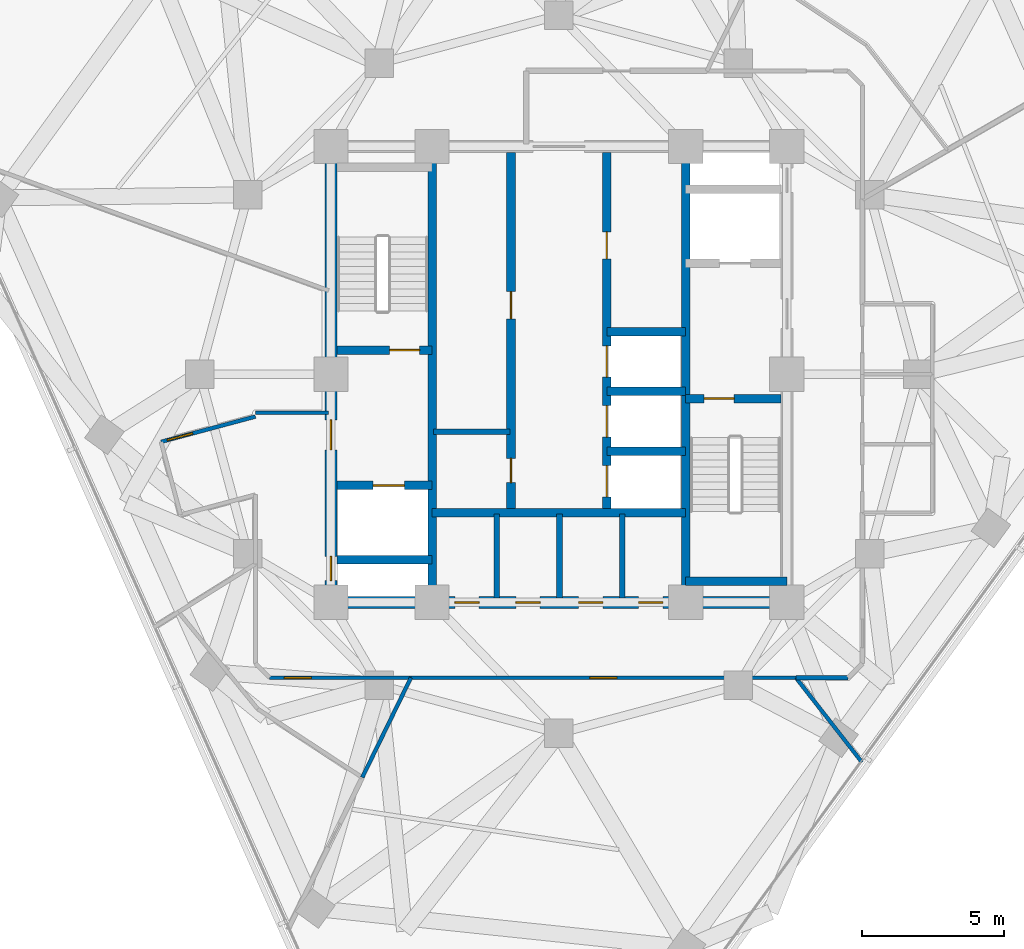
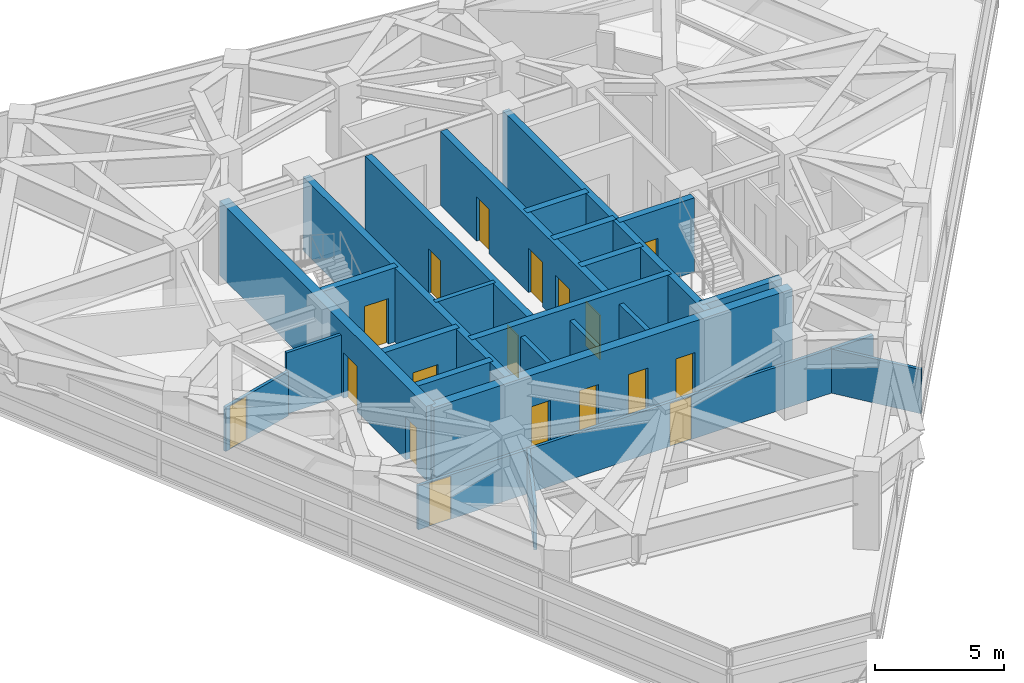
# One storey, part 8 of 14: 26 walls, 18 doors, 18 openings.
"""IFC4 building model written with IfcOpenShell, lengths in metres."""

from ifc_helpers import new_model, si_unit, direction, frame, frame_2d, origin, place, context, subcontext, project, spatial, rectangle, extrude, material, layer, layer_set, type_object, element, fill, save


model = new_model("IFC4")

# Units and contexts
model_context = context("Model", 3, precision=1e-05, world=origin(), true_north=direction((0.0, 1.0)))
body_context = subcontext(model_context, "Body", "Model", "MODEL_VIEW")
ifc_project = project(units=[si_unit("LENGTHUNIT", "METRE"), si_unit("AREAUNIT", "SQUARE_METRE"), si_unit("VOLUMEUNIT", "CUBIC_METRE"), si_unit("PLANEANGLEUNIT", "RADIAN"), si_unit("MASSUNIT", "GRAM", prefix="KILO")], contexts=[model_context])

# Site, building, storey
site_placement = place(None, origin())
site = spatial("IfcSite", under=ifc_project, at=site_placement, CompositionType="ELEMENT")
building_placement = place(site_placement, origin())
building = spatial("IfcBuilding", under=site, at=building_placement, Name="Terralouvre Media Tower", CompositionType="ELEMENT")
storey_placement = place(building_placement, frame((0.0, 0.0, 244.800048828125)))
storey = spatial("IfcBuildingStorey", under=building, at=storey_placement, Name="L63", CompositionType="ELEMENT", Elevation=244.800048828125)

# Walls
ifc_material_1 = material(Name="Concrete C50/60", Category="concrete")
ifc_layer_1 = layer(ifc_material_1, 0.300048828125, Name="Core Internal Shaft Wall CW-300")
ifc_layer_set_1 = layer_set([ifc_layer_1], Name="Concrete C50/60")
wall_type_1 = type_object("IfcWallType", Name="Core Internal Shaft Wall CW-300", PredefinedType="SHEAR", material=ifc_layer_set_1)
for number, where, z_axis, x_axis, name in (
    (1, (-4.449951171875, -7.7900390625, 0.0), (0.0, 0.0, 1.0), (0.0, 1.0, 0.0), "L63 Core Shaft Wall SPW"),
    (2, (4.449951171875, -7.7900390625, 0.0), (0.0, 0.0, 1.0), (0.0, 1.0, 0.0), "L63 Core Shaft Wall SPE"),
):
    element("IfcWall", number, at=place(storey_placement, frame(where, z_axis=z_axis, x_axis=x_axis)), inside=storey, type_object=wall_type_1, Name=name, PredefinedType="SHEAR", context=body_context, shape_type="SweptSolid", body=[
        extrude(rectangle(XDim=15.580078125, YDim=0.300048828125, at=frame_2d((7.7900390625, 0.0))), origin(), (0.0, 0.0, 1.0), 3.5),
    ])

# Wall, opening, door
wall_1_placement = place(storey_placement, frame((-7.7900390625, 0.85009765625, 0.0), z_axis=(0.0, 0.0, 1.0), x_axis=(1.0, 0.0, 0.0)))
wall_1 = element("IfcWall", 3, at=wall_1_placement, inside=storey, type_object=wall_type_1, Name="L63 Core Shaft Wall ST1D", PredefinedType="SHEAR", context=body_context, shape_type="SweptSolid", body=[
    extrude(rectangle(XDim=3.340087890625, YDim=0.300048828125, at=frame_2d((1.669921875, 0.0))), origin(), (0.0, 0.0, 1.0), 3.5),
])
opening_1_placement = place(wall_1_placement, frame((1.85009765625, 0.0, 0.0)))
opening_1 = element("IfcOpeningElement", 4, at=opening_1_placement, cuts=wall_1, Name="Opening FD-01-105X215", PredefinedType="OPENING", context=body_context, shape_type="SweptSolid", body=[
    extrude(rectangle(XDim=1.050048828125, YDim=2.14990234375, at=frame_2d((0.52490234375, 1.074951171875))), frame((0.0, 0.159912109375, 0.0), z_axis=(0.0, -1.0, 0.0), x_axis=(1.0, 0.0, 0.0)), (0.0, 0.0, 1.0), 0.320068359375),
])
ifc_material_2 = material(Name="Galvanised steel fire-resisting leaf", Category="steel")
door_type_1 = type_object("IfcDoorType", Name="Stair and Firefighting Lobby Fire Door FD-01 (1050x2150)", OperationType="NOTDEFINED", PredefinedType="DOOR", material=ifc_material_2)
door_1_placement = place(opening_1_placement, origin())
door_1 = element("IfcDoor", 5, at=door_1_placement, inside=storey, type_object=door_type_1, Name="L63 ST-01 Exit Stair Door", OperationType="SINGLE_SWING_LEFT", OverallHeight=2.14990234375, OverallWidth=1.050048828125, PredefinedType="DOOR", context=body_context, shape_type="SweptSolid", body=[
    extrude(rectangle(XDim=1.050048828125, YDim=2.14990234375, at=frame_2d((0.52490234375, 1.074951171875))), frame((0.0, 0.02490234375, 0.0), z_axis=(0.0, -1.0, 0.0), x_axis=(1.0, 0.0, 0.0)), (0.0, 0.0, 1.0), 0.050048828125),
])
fill(opening_1, door_1)

wall_2_placement = place(storey_placement, frame((4.449951171875, -0.85009765625, 0.0), z_axis=(0.0, 0.0, 1.0), x_axis=(1.0, 0.0, 0.0)))
wall_2 = element("IfcWall", 6, at=wall_2_placement, inside=storey, type_object=wall_type_1, Name="L63 Core Shaft Wall ST2D", PredefinedType="SHEAR", context=body_context, shape_type="SweptSolid", body=[
    extrude(rectangle(XDim=3.340087890625, YDim=0.300048828125, at=frame_2d((1.669921875, 0.0))), origin(), (0.0, 0.0, 1.0), 3.5),
])
opening_2_placement = place(wall_2_placement, frame((0.64990234375, 0.0, 0.0)))
opening_2 = element("IfcOpeningElement", 7, at=opening_2_placement, cuts=wall_2, Name="Opening FD-01-105X215", PredefinedType="OPENING", context=body_context, shape_type="SweptSolid", body=[
    extrude(rectangle(XDim=1.050048828125, YDim=2.14990234375, at=frame_2d((0.52490234375, 1.074951171875))), frame((0.0, 0.159912109375, 0.0), z_axis=(0.0, -1.0, 0.0), x_axis=(1.0, 0.0, 0.0)), (0.0, 0.0, 1.0), 0.320068359375),
])
door_2_placement = place(opening_2_placement, origin())
door_2 = element("IfcDoor", 8, at=door_2_placement, inside=storey, type_object=door_type_1, Name="L63 ST-02 Exit Stair Door", OperationType="SINGLE_SWING_RIGHT", OverallHeight=2.14990234375, OverallWidth=1.050048828125, PredefinedType="DOOR", context=body_context, shape_type="SweptSolid", body=[
    extrude(rectangle(XDim=1.050048828125, YDim=2.14990234375, at=frame_2d((0.52490234375, 1.074951171875))), frame((0.0, 0.02490234375, 0.0), z_axis=(0.0, -1.0, 0.0), x_axis=(1.0, 0.0, 0.0)), (0.0, 0.0, 1.0), 0.050048828125),
])
fill(opening_2, door_2)

# Wall
wall_3_placement = place(storey_placement, frame((4.449951171875, -7.260009765625, 0.0), z_axis=(0.0, 0.0, 1.0), x_axis=(1.0, 0.0, 0.0)))
element("IfcWall", 9, at=wall_3_placement, inside=storey, type_object=wall_type_1, Name="L63 Core Shaft Wall ST2F", PredefinedType="SHEAR", context=body_context, shape_type="SweptSolid", body=[
    extrude(rectangle(XDim=3.550048828125, YDim=0.300048828125, at=frame_2d((1.77490234375, 0.0))), origin(), (0.0, 0.0, 1.0), 3.5),
])

# Wall, opening, door
wall_4_placement = place(storey_placement, frame((-7.7900390625, -3.89990234375, 0.0), z_axis=(0.0, 0.0, 1.0), x_axis=(1.0, 0.0, 0.0)))
wall_4 = element("IfcWall", 10, at=wall_4_placement, inside=storey, type_object=wall_type_1, Name="L63 Core Shaft Wall FF1N", PredefinedType="SHEAR", context=body_context, shape_type="SweptSolid", body=[
    extrude(rectangle(XDim=3.340087890625, YDim=0.300048828125, at=frame_2d((1.669921875, 0.0))), origin(), (0.0, 0.0, 1.0), 3.5),
])
opening_3_placement = place(wall_4_placement, frame((1.27001953125, 0.0, 0.0)))
opening_3 = element("IfcOpeningElement", 11, at=opening_3_placement, cuts=wall_4, Name="Opening LD-FF", PredefinedType="OPENING", context=body_context, shape_type="SweptSolid", body=[
    extrude(rectangle(XDim=1.10009765625, YDim=2.10009765625, at=frame_2d((0.550048828125, 1.050048828125))), frame((0.0, 0.159912109375, 0.0), z_axis=(0.0, -1.0, 0.0), x_axis=(1.0, 0.0, 0.0)), (0.0, 0.0, 1.0), 0.320068359375),
])
ifc_material_3 = material(Name="Stainless steel 316 handrail and balustrade", Category="steel")
door_type_2 = type_object("IfcDoorType", Name="Firefighting Lift Sliding Landing Door LD-FF", OperationType="SLIDING_TO_LEFT", PredefinedType="DOOR", material=ifc_material_3)
door_3_placement = place(opening_3_placement, origin())
door_3 = element("IfcDoor", 12, at=door_3_placement, inside=storey, type_object=door_type_2, Name="L63 Firefighting Lift FFL-01 Landing Door", OperationType="SLIDING_TO_LEFT", OverallHeight=2.10009765625, OverallWidth=1.10009765625, PredefinedType="DOOR", context=body_context, shape_type="SweptSolid", body=[
    extrude(rectangle(XDim=1.10009765625, YDim=2.10009765625, at=frame_2d((0.550048828125, 1.050048828125))), frame((0.0, 0.02490234375, 0.0), z_axis=(0.0, -1.0, 0.0), x_axis=(1.0, 0.0, 0.0)), (0.0, 0.0, 1.0), 0.050048828125),
])
fill(opening_3, door_3)

# Walls
wall_5_placement = place(storey_placement, frame((-7.7900390625, -6.5, 0.0), z_axis=(0.0, 0.0, 1.0), x_axis=(1.0, 0.0, 0.0)))
element("IfcWall", 13, at=wall_5_placement, inside=storey, type_object=wall_type_1, Name="L63 Core Shaft Wall FF1S", PredefinedType="SHEAR", context=body_context, shape_type="SweptSolid", body=[
    extrude(rectangle(XDim=3.340087890625, YDim=0.300048828125, at=frame_2d((1.669921875, 0.0))), origin(), (0.0, 0.0, 1.0), 3.5),
])
wall_6_placement = place(storey_placement, frame((-4.449951171875, -4.85009765625, 0.0), z_axis=(0.0, 0.0, 1.0), x_axis=(1.0, 0.0, 0.0)))
element("IfcWall", 14, at=wall_6_placement, inside=storey, type_object=wall_type_1, Name="L63 Core Shaft Wall CSBN", PredefinedType="SHEAR", context=body_context, shape_type="SweptSolid", body=[
    extrude(rectangle(XDim=8.89990234375, YDim=0.300048828125, at=frame_2d((4.449951171875, 0.0))), origin(), (0.0, 0.0, 1.0), 3.5),
])

# Wall, openings, doors
wall_7_placement = place(storey_placement, frame((-1.679931640625, -4.85009765625, 0.0), z_axis=(0.0, 0.0, 1.0), x_axis=(0.0, 1.0, 0.0)))
wall_7 = element("IfcWall", 15, at=wall_7_placement, inside=storey, type_object=wall_type_1, Name="L63 Core Shaft Wall LBW", PredefinedType="SHEAR", context=body_context, shape_type="SweptSolid", body=[
    extrude(rectangle(XDim=12.64013671875, YDim=0.300048828125, at=frame_2d((6.320068359375, 0.0))), origin(), (0.0, 0.0, 1.0), 3.5),
])
opening_4_placement = place(wall_7_placement, frame((1.050048828125, 0.0, 0.0)))
opening_4 = element("IfcOpeningElement", 16, at=opening_4_placement, cuts=wall_7, Name="Opening TD-R1", PredefinedType="OPENING", context=body_context, shape_type="SweptSolid", body=[
    extrude(rectangle(XDim=0.85009765625, YDim=2.02001953125, at=frame_2d((0.425048828125, 1.010009765625))), frame((0.0, 0.159912109375, 0.0), z_axis=(0.0, -1.0, 0.0), x_axis=(1.0, 0.0, 0.0)), (0.0, 0.0, 1.0), 0.320068359375),
])
opening_5_placement = place(wall_7_placement, frame((6.800048828125, 0.0, 0.0)))
opening_5 = element("IfcOpeningElement", 17, at=opening_5_placement, cuts=wall_7, Name="Opening FD-02-95X210", PredefinedType="OPENING", context=body_context, shape_type="SweptSolid", body=[
    extrude(rectangle(XDim=0.949951171875, YDim=2.10009765625, at=frame_2d((0.47509765625, 1.050048828125))), frame((0.0, 0.159912109375, 0.0), z_axis=(0.0, -1.0, 0.0), x_axis=(1.0, 0.0, 0.0)), (0.0, 0.0, 1.0), 0.320068359375),
])
ifc_material_4 = material(Name="Galvanised steel fire-resisting leaf", Category="steel")
door_type_3 = type_object("IfcDoorType", Name="Plant and Riser Fire Door FD-02 (950x2100)", OperationType="NOTDEFINED", PredefinedType="DOOR", material=ifc_material_4)
door_4_placement = place(opening_5_placement, origin())
door_4 = element("IfcDoor", 18, at=door_4_placement, inside=storey, type_object=door_type_3, Name="L63 Core Patch Rack Plant Door", OperationType="SINGLE_SWING_RIGHT", OverallHeight=2.10009765625, OverallWidth=0.949951171875, PredefinedType="DOOR", context=body_context, shape_type="SweptSolid", body=[
    extrude(rectangle(XDim=0.949951171875, YDim=2.10009765625, at=frame_2d((0.47509765625, 1.050048828125))), frame((0.0, 0.02490234375, 0.0), z_axis=(0.0, -1.0, 0.0), x_axis=(1.0, 0.0, 0.0)), (0.0, 0.0, 1.0), 0.050048828125),
])
fill(opening_5, door_4)
ifc_material_5 = material(Name="Galvanised steel fire-resisting leaf", Category="steel")
door_type_4 = type_object("IfcDoorType", Name="Riser Inspection Access Trapdoor TD-R1", OperationType="NOTDEFINED", PredefinedType="TRAPDOOR", material=ifc_material_5)
door_5_placement = place(opening_4_placement, origin())
door_5 = element("IfcDoor", 19, at=door_5_placement, inside=storey, type_object=door_type_4, Name="L63 Core Cleaners Store Door", OperationType="SINGLE_SWING_LEFT", OverallHeight=2.02001953125, OverallWidth=0.85009765625, PredefinedType="TRAPDOOR", context=body_context, shape_type="SweptSolid", body=[
    extrude(rectangle(XDim=0.85009765625, YDim=2.02001953125, at=frame_2d((0.425048828125, 1.010009765625))), frame((0.0, 0.02490234375, 0.0), z_axis=(0.0, -1.0, 0.0), x_axis=(1.0, 0.0, 0.0)), (0.0, 0.0, 1.0), 0.050048828125),
])
fill(opening_4, door_5)

wall_8_placement = place(storey_placement, frame((1.679931640625, -4.85009765625, 0.0), z_axis=(0.0, 0.0, 1.0), x_axis=(0.0, 1.0, 0.0)))
wall_8 = element("IfcWall", 20, at=wall_8_placement, inside=storey, type_object=wall_type_1, Name="L63 Core Shaft Wall LBE", PredefinedType="SHEAR", context=body_context, shape_type="SweptSolid", body=[
    extrude(rectangle(XDim=12.64013671875, YDim=0.300048828125, at=frame_2d((6.320068359375, 0.0))), origin(), (0.0, 0.0, 1.0), 3.5),
])
opening_6_placement = place(wall_8_placement, frame((0.550048828125, 0.0, 0.0)))
opening_6 = element("IfcOpeningElement", 21, at=opening_6_placement, cuts=wall_8, Name="Opening LD-PL", PredefinedType="OPENING", context=body_context, shape_type="SweptSolid", body=[
    extrude(rectangle(XDim=1.10009765625, YDim=2.10009765625, at=frame_2d((0.550048828125, 1.050048828125))), frame((0.0, 0.159912109375, 0.0), z_axis=(0.0, -1.0, 0.0), x_axis=(1.0, 0.0, 0.0)), (0.0, 0.0, 1.0), 0.320068359375),
])
opening_7_placement = place(wall_8_placement, frame((2.64990234375, 0.0, 0.0)))
opening_7 = element("IfcOpeningElement", 22, at=opening_7_placement, cuts=wall_8, Name="Opening LD-PL", PredefinedType="OPENING", context=body_context, shape_type="SweptSolid", body=[
    extrude(rectangle(XDim=1.10009765625, YDim=2.10009765625, at=frame_2d((0.550048828125, 1.050048828125))), frame((0.0, 0.159912109375, 0.0), z_axis=(0.0, -1.0, 0.0), x_axis=(1.0, 0.0, 0.0)), (0.0, 0.0, 1.0), 0.320068359375),
])
opening_8_placement = place(wall_8_placement, frame((4.75, 0.0, 0.0)))
opening_8 = element("IfcOpeningElement", 23, at=opening_8_placement, cuts=wall_8, Name="Opening LD-PL", PredefinedType="OPENING", context=body_context, shape_type="SweptSolid", body=[
    extrude(rectangle(XDim=1.10009765625, YDim=2.10009765625, at=frame_2d((0.550048828125, 1.050048828125))), frame((0.0, 0.159912109375, 0.0), z_axis=(0.0, -1.0, 0.0), x_axis=(1.0, 0.0, 0.0)), (0.0, 0.0, 1.0), 0.320068359375),
])
opening_9_placement = place(wall_8_placement, frame((8.89990234375, 0.0, 0.0)))
opening_9 = element("IfcOpeningElement", 24, at=opening_9_placement, cuts=wall_8, Name="Opening FD-02-95X210", PredefinedType="OPENING", context=body_context, shape_type="SweptSolid", body=[
    extrude(rectangle(XDim=0.949951171875, YDim=2.10009765625, at=frame_2d((0.47509765625, 1.050048828125))), frame((0.0, 0.159912109375, 0.0), z_axis=(0.0, -1.0, 0.0), x_axis=(1.0, 0.0, 0.0)), (0.0, 0.0, 1.0), 0.320068359375),
])
ifc_material_6 = material(Name="Stainless steel 316 handrail and balustrade", Category="steel")
door_type_5 = type_object("IfcDoorType", Name="Passenger Lift Sliding Landing Door LD-PL", OperationType="SLIDING_TO_LEFT", PredefinedType="DOOR", material=ifc_material_6)
door_6_placement = place(opening_6_placement, origin())
door_6 = element("IfcDoor", 25, at=door_6_placement, inside=storey, type_object=door_type_5, Name="L63 High-Rise Lift PL-H1 Landing Door", OperationType="SLIDING_TO_LEFT", OverallHeight=2.10009765625, OverallWidth=1.10009765625, PredefinedType="DOOR", context=body_context, shape_type="SweptSolid", body=[
    extrude(rectangle(XDim=1.10009765625, YDim=2.10009765625, at=frame_2d((0.550048828125, 1.050048828125))), frame((0.0, 0.02490234375, 0.0), z_axis=(0.0, -1.0, 0.0), x_axis=(1.0, 0.0, 0.0)), (0.0, 0.0, 1.0), 0.050048828125),
])
fill(opening_6, door_6)
door_7_placement = place(opening_7_placement, origin())
door_7 = element("IfcDoor", 26, at=door_7_placement, inside=storey, type_object=door_type_5, Name="L63 High-Rise Lift PL-H2 Landing Door", OperationType="SLIDING_TO_LEFT", OverallHeight=2.10009765625, OverallWidth=1.10009765625, PredefinedType="DOOR", context=body_context, shape_type="SweptSolid", body=[
    extrude(rectangle(XDim=1.10009765625, YDim=2.10009765625, at=frame_2d((0.550048828125, 1.050048828125))), frame((0.0, 0.02490234375, 0.0), z_axis=(0.0, -1.0, 0.0), x_axis=(1.0, 0.0, 0.0)), (0.0, 0.0, 1.0), 0.050048828125),
])
fill(opening_7, door_7)
door_8_placement = place(opening_8_placement, origin())
door_8 = element("IfcDoor", 27, at=door_8_placement, inside=storey, type_object=door_type_5, Name="L63 High-Rise Lift PL-H3 Landing Door", OperationType="SLIDING_TO_LEFT", OverallHeight=2.10009765625, OverallWidth=1.10009765625, PredefinedType="DOOR", context=body_context, shape_type="SweptSolid", body=[
    extrude(rectangle(XDim=1.10009765625, YDim=2.10009765625, at=frame_2d((0.550048828125, 1.050048828125))), frame((0.0, 0.02490234375, 0.0), z_axis=(0.0, -1.0, 0.0), x_axis=(1.0, 0.0, 0.0)), (0.0, 0.0, 1.0), 0.050048828125),
])
fill(opening_8, door_8)
door_9_placement = place(opening_9_placement, origin())
door_9 = element("IfcDoor", 28, at=door_9_placement, inside=storey, type_object=door_type_3, Name="L63 Core AHU Sub-Plant Door", OperationType="SINGLE_SWING_LEFT", OverallHeight=2.10009765625, OverallWidth=0.949951171875, PredefinedType="DOOR", context=body_context, shape_type="SweptSolid", body=[
    extrude(rectangle(XDim=0.949951171875, YDim=2.10009765625, at=frame_2d((0.47509765625, 1.050048828125))), frame((0.0, 0.02490234375, 0.0), z_axis=(0.0, -1.0, 0.0), x_axis=(1.0, 0.0, 0.0)), (0.0, 0.0, 1.0), 0.050048828125),
])
fill(opening_9, door_9)

# Walls
for number, where, z_axis, x_axis, name in (
    (29, (1.679931640625, 1.5, 0.0), (0.0, 0.0, 1.0), (1.0, 0.0, 0.0), "L63 Core Shaft Wall PLMBOT"),
    (30, (1.679931640625, -2.699951171875, 0.0), (0.0, 0.0, 1.0), (1.0, 0.0, 0.0), "L63 Core Shaft Wall PLHD1"),
    (31, (1.679931640625, -0.60009765625, 0.0), (0.0, 0.0, 1.0), (1.0, 0.0, 0.0), "L63 Core Shaft Wall PLHD2"),
):
    element("IfcWall", number, at=place(storey_placement, frame(where, z_axis=z_axis, x_axis=x_axis)), inside=storey, type_object=wall_type_1, Name=name, PredefinedType="SHEAR", context=body_context, shape_type="SweptSolid", body=[
        extrude(rectangle(XDim=2.77001953125, YDim=0.300048828125, at=frame_2d((1.385009765625, 0.0))), origin(), (0.0, 0.0, 1.0), 3.5),
    ])

# Wall, openings, doors
ifc_material_7 = material(Name="Concrete C60/75", Category="concrete")
ifc_layer_2 = layer(ifc_material_7, 0.419921875, Name="Core Reinforced Concrete Shear Wall CW-420")
ifc_layer_set_2 = layer_set([ifc_layer_2], Name="Concrete C60/75")
wall_type_2 = type_object("IfcWallType", Name="Core Reinforced Concrete Shear Wall CW-420", PredefinedType="SHEAR", material=ifc_layer_set_2)
wall_9_placement = place(storey_placement, frame((-8.0, -8.0, 0.0), z_axis=(0.0, 0.0, 1.0), x_axis=(0.0, 1.0, 0.0)))
wall_9 = element("IfcWall", 32, at=wall_9_placement, inside=storey, type_object=wall_type_2, Name="L63 W Core Shear Wall", PredefinedType="SHEAR", context=body_context, shape_type="SweptSolid", body=[
    extrude(rectangle(XDim=16.0, YDim=0.419921875, at=frame_2d((8.0, 0.0))), origin(), (0.0, 0.0, 1.0), 3.5),
])
opening_10_placement = place(wall_9_placement, frame((0.76123046875, 0.0, 0.0)))
opening_10 = element("IfcOpeningElement", 33, at=opening_10_placement, cuts=wall_9, Name="Opening TD-R1", PredefinedType="OPENING", context=body_context, shape_type="SweptSolid", body=[
    extrude(rectangle(XDim=0.85009765625, YDim=2.02001953125, at=frame_2d((0.425048828125, 1.010009765625))), frame((0.0, 0.219970703125, 0.0), z_axis=(0.0, -1.0, 0.0), x_axis=(1.0, 0.0, 0.0)), (0.0, 0.0, 1.0), 0.43994140625),
])
opening_11_placement = place(wall_9_placement, frame((5.35009765625, 0.0, 0.0)))
opening_11 = element("IfcOpeningElement", 34, at=opening_11_placement, cuts=wall_9, Name="Opening FD-01-105X215", PredefinedType="OPENING", context=body_context, shape_type="SweptSolid", body=[
    extrude(rectangle(XDim=1.050048828125, YDim=2.14990234375, at=frame_2d((0.52490234375, 1.074951171875))), frame((0.0, 0.219970703125, 0.0), z_axis=(0.0, -1.0, 0.0), x_axis=(1.0, 0.0, 0.0)), (0.0, 0.0, 1.0), 0.43994140625),
])
door_10_placement = place(opening_10_placement, origin())
door_10 = element("IfcDoor", 35, at=door_10_placement, inside=storey, type_object=door_type_4, Name="L63 Wet Riser Access Trapdoor", OperationType="SINGLE_SWING_LEFT", OverallHeight=2.02001953125, OverallWidth=0.85009765625, PredefinedType="TRAPDOOR", context=body_context, shape_type="SweptSolid", body=[
    extrude(rectangle(XDim=0.85009765625, YDim=2.02001953125, at=frame_2d((0.425048828125, 1.010009765625))), frame((0.0, 0.02490234375, 0.0), z_axis=(0.0, -1.0, 0.0), x_axis=(1.0, 0.0, 0.0)), (0.0, 0.0, 1.0), 0.050048828125),
])
fill(opening_10, door_10)
door_11_placement = place(opening_11_placement, origin())
door_11 = element("IfcDoor", 36, at=door_11_placement, inside=storey, type_object=door_type_1, Name="L63 West Firefighting Lobby Entry Door", OperationType="SINGLE_SWING_RIGHT", OverallHeight=2.14990234375, OverallWidth=1.050048828125, PredefinedType="DOOR", context=body_context, shape_type="SweptSolid", body=[
    extrude(rectangle(XDim=1.050048828125, YDim=2.14990234375, at=frame_2d((0.52490234375, 1.074951171875))), frame((0.0, 0.02490234375, 0.0), z_axis=(0.0, -1.0, 0.0), x_axis=(1.0, 0.0, 0.0)), (0.0, 0.0, 1.0), 0.050048828125),
])
fill(opening_11, door_11)

wall_10_placement = place(storey_placement, frame((-8.0, -8.0, 0.0), z_axis=(0.0, 0.0, 1.0), x_axis=(1.0, 0.0, 0.0)))
wall_10 = element("IfcWall", 37, at=wall_10_placement, inside=storey, type_object=wall_type_2, Name="L63 S Core Shear Wall", PredefinedType="SHEAR", context=body_context, shape_type="SweptSolid", body=[
    extrude(rectangle(XDim=16.0, YDim=0.419921875, at=frame_2d((8.0, 0.0))), origin(), (0.0, 0.0, 1.0), 3.5),
])
opening_12_placement = place(wall_10_placement, frame((4.35009765625, 0.0, 0.0)))
opening_12 = element("IfcOpeningElement", 38, at=opening_12_placement, cuts=wall_10, Name="Opening TD-R1", PredefinedType="OPENING", context=body_context, shape_type="SweptSolid", body=[
    extrude(rectangle(XDim=0.85009765625, YDim=2.02001953125, at=frame_2d((0.425048828125, 1.010009765625))), frame((0.0, 0.219970703125, 0.0), z_axis=(0.0, -1.0, 0.0), x_axis=(1.0, 0.0, 0.0)), (0.0, 0.0, 1.0), 0.43994140625),
])
opening_13_placement = place(wall_10_placement, frame((6.489990234375, 0.0, 0.0)))
opening_13 = element("IfcOpeningElement", 39, at=opening_13_placement, cuts=wall_10, Name="Opening TD-R1", PredefinedType="OPENING", context=body_context, shape_type="SweptSolid", body=[
    extrude(rectangle(XDim=0.85009765625, YDim=2.02001953125, at=frame_2d((0.425048828125, 1.010009765625))), frame((0.0, 0.219970703125, 0.0), z_axis=(0.0, -1.0, 0.0), x_axis=(1.0, 0.0, 0.0)), (0.0, 0.0, 1.0), 0.43994140625),
])
opening_14_placement = place(wall_10_placement, frame((8.68994140625, 0.0, 0.0)))
opening_14 = element("IfcOpeningElement", 40, at=opening_14_placement, cuts=wall_10, Name="Opening TD-R1", PredefinedType="OPENING", context=body_context, shape_type="SweptSolid", body=[
    extrude(rectangle(XDim=0.85009765625, YDim=2.02001953125, at=frame_2d((0.425048828125, 1.010009765625))), frame((0.0, 0.219970703125, 0.0), z_axis=(0.0, -1.0, 0.0), x_axis=(1.0, 0.0, 0.0)), (0.0, 0.0, 1.0), 0.43994140625),
])
opening_15_placement = place(wall_10_placement, frame((10.800048828125, 0.0, 0.0)))
opening_15 = element("IfcOpeningElement", 41, at=opening_15_placement, cuts=wall_10, Name="Opening TD-R1", PredefinedType="OPENING", context=body_context, shape_type="SweptSolid", body=[
    extrude(rectangle(XDim=0.85009765625, YDim=2.02001953125, at=frame_2d((0.425048828125, 1.010009765625))), frame((0.0, 0.219970703125, 0.0), z_axis=(0.0, -1.0, 0.0), x_axis=(1.0, 0.0, 0.0)), (0.0, 0.0, 1.0), 0.43994140625),
])
door_12_placement = place(opening_12_placement, origin())
door_12 = element("IfcDoor", 42, at=door_12_placement, inside=storey, type_object=door_type_4, Name="L63 Core Battery Plant Door", OperationType="SINGLE_SWING_LEFT", OverallHeight=2.02001953125, OverallWidth=0.85009765625, PredefinedType="TRAPDOOR", context=body_context, shape_type="SweptSolid", body=[
    extrude(rectangle(XDim=0.85009765625, YDim=2.02001953125, at=frame_2d((0.425048828125, 1.010009765625))), frame((0.0, 0.02490234375, 0.0), z_axis=(0.0, -1.0, 0.0), x_axis=(1.0, 0.0, 0.0)), (0.0, 0.0, 1.0), 0.050048828125),
])
fill(opening_12, door_12)
door_13_placement = place(opening_13_placement, origin())
door_13 = element("IfcDoor", 43, at=door_13_placement, inside=storey, type_object=door_type_4, Name="L63 Core IT Patch Plant Door", OperationType="SINGLE_SWING_RIGHT", OverallHeight=2.02001953125, OverallWidth=0.85009765625, PredefinedType="TRAPDOOR", context=body_context, shape_type="SweptSolid", body=[
    extrude(rectangle(XDim=0.85009765625, YDim=2.02001953125, at=frame_2d((0.425048828125, 1.010009765625))), frame((0.0, 0.02490234375, 0.0), z_axis=(0.0, -1.0, 0.0), x_axis=(1.0, 0.0, 0.0)), (0.0, 0.0, 1.0), 0.050048828125),
])
fill(opening_13, door_13)
door_14_placement = place(opening_14_placement, origin())
door_14 = element("IfcDoor", 44, at=door_14_placement, inside=storey, type_object=door_type_4, Name="L63 Core Housekeeping Store Door", OperationType="SINGLE_SWING_LEFT", OverallHeight=2.02001953125, OverallWidth=0.85009765625, PredefinedType="TRAPDOOR", context=body_context, shape_type="SweptSolid", body=[
    extrude(rectangle(XDim=0.85009765625, YDim=2.02001953125, at=frame_2d((0.425048828125, 1.010009765625))), frame((0.0, 0.02490234375, 0.0), z_axis=(0.0, -1.0, 0.0), x_axis=(1.0, 0.0, 0.0)), (0.0, 0.0, 1.0), 0.050048828125),
])
fill(opening_14, door_14)
door_15_placement = place(opening_15_placement, origin())
door_15 = element("IfcDoor", 45, at=door_15_placement, inside=storey, type_object=door_type_4, Name="L63 Core Smoke Damper Plant Door", OperationType="SINGLE_SWING_RIGHT", OverallHeight=2.02001953125, OverallWidth=0.85009765625, PredefinedType="TRAPDOOR", context=body_context, shape_type="SweptSolid", body=[
    extrude(rectangle(XDim=0.85009765625, YDim=2.02001953125, at=frame_2d((0.425048828125, 1.010009765625))), frame((0.0, 0.02490234375, 0.0), z_axis=(0.0, -1.0, 0.0), x_axis=(1.0, 0.0, 0.0)), (0.0, 0.0, 1.0), 0.050048828125),
])
fill(opening_15, door_15)

# Walls
ifc_material_8 = material(Name="Fire-rated gypsum board drywall partition")
ifc_layer_3 = layer(ifc_material_8, 0.199951171875, Name="Fire-Rated Shaft and Lobby Partition FW-200")
ifc_layer_set_3 = layer_set([ifc_layer_3], Name="Fire-rated gypsum board drywall partition")
wall_type_3 = type_object("IfcWallType", Name="Fire-Rated Shaft and Lobby Partition FW-200", PredefinedType="SOLIDWALL", material=ifc_layer_set_3)
for number, where, z_axis, x_axis, name in (
    (46, (-2.179931640625, -7.85009765625, 0.0), (0.0, 0.0, 1.0), (0.0, 1.0, 0.0), "L63 Core Service Bay Partition 1"),
    (47, (0.02001953125, -7.85009765625, 0.0), (0.0, 0.0, 1.0), (0.0, 1.0, 0.0), "L63 Core Service Bay Partition 2"),
    (48, (2.219970703125, -7.85009765625, 0.0), (0.0, 0.0, 1.0), (0.0, 1.0, 0.0), "L63 Core Service Bay Partition 3"),
):
    element("IfcWall", number, at=place(storey_placement, frame(where, z_axis=z_axis, x_axis=x_axis)), inside=storey, type_object=wall_type_3, Name=name, PredefinedType="SOLIDWALL", context=body_context, shape_type="SweptSolid", body=[
        extrude(rectangle(XDim=2.9501953125, YDim=0.199951171875, at=frame_2d((1.47509765625, 0.0))), origin(), (0.0, 0.0, 1.0), 2.885009765625),
    ])
wall_11_placement = place(storey_placement, frame((-4.39990234375, -2.010009765625, 0.0), z_axis=(0.0, 0.0, 1.0), x_axis=(1.0, 0.0, 0.0)))
element("IfcWall", 49, at=wall_11_placement, inside=storey, type_object=wall_type_3, Name="L63 Core West Sub-Partition 1", PredefinedType="SOLIDWALL", context=body_context, shape_type="SweptSolid", body=[
    extrude(rectangle(XDim=2.679931640625, YDim=0.199951171875, at=frame_2d((1.33984375, 0.0))), origin(), (0.0, 0.0, 1.0), 3.5),
])
ifc_material_9 = material(Name="Fire-rated gypsum board drywall partition")
ifc_layer_4 = layer(ifc_material_9, 0.135009765625, Name="Newsroom Acoustic Partition PT-135")
ifc_layer_set_4 = layer_set([ifc_layer_4], Name="Fire-rated gypsum board drywall partition")
wall_type_4 = type_object("IfcWallType", Name="Newsroom Acoustic Partition PT-135", PredefinedType="PARTITIONING", material=ifc_layer_set_4)
wall_12_placement = place(storey_placement, frame((-8.080078125, -1.35009765625, 0.0), z_axis=(0.0, 0.0, 1.0), x_axis=(-1.0, 0.0, 0.0)))
element("IfcWall", 50, at=wall_12_placement, inside=storey, type_object=wall_type_4, Name="L63 Interior Partition 001", PredefinedType="PARTITIONING", context=body_context, shape_type="SweptSolid", body=[
    extrude(rectangle(XDim=2.56982421875, YDim=0.135009765625, at=frame_2d((1.284912109375, 0.0))), origin(), (0.0, 0.0, 1.0), 2.885009765625),
])

# Wall, opening, door
wall_13_placement = place(storey_placement, frame((-10.64990234375, -1.48193359375, 0.0), z_axis=(0.0, 0.0, 1.0), x_axis=(-0.965961397105, -0.2586862565, 0.0)))
wall_13 = element("IfcWall", 51, at=wall_13_placement, inside=storey, type_object=wall_type_4, Name="L63 Interior Partition 002", PredefinedType="PARTITIONING", context=body_context, shape_type="SweptSolid", body=[
    extrude(rectangle(XDim=3.4287109375, YDim=0.135009765625, at=frame_2d((1.71435546875, 0.0))), origin(), (0.0, 0.0, 1.0), 2.0849609375),
])
opening_16_placement = place(wall_13_placement, frame((2.282958984375, 0.0, 0.0)))
opening_16 = element("IfcOpeningElement", 52, at=opening_16_placement, cuts=wall_13, Name="Opening ID-03-92X206", PredefinedType="OPENING", context=body_context, shape_type="SweptSolid", body=[
    extrude(rectangle(XDim=0.919921875, YDim=2.034912109375, at=frame_2d((0.4599609375, 1.017578125))), frame((0.0, 0.077392578125, 0.0), z_axis=(0.0, -1.0, 0.0), x_axis=(1.0, 0.0, 0.0)), (0.0, 0.0, 1.0), 0.155029296875),
])
ifc_material_10 = material(Name="Engineered hardwood acoustic timber leaf", Category="wood")
door_type_6 = type_object("IfcDoorType", Name="Accessible Restroom and Suite Door ID-03 (920x2065)", OperationType="NOTDEFINED", PredefinedType="DOOR", material=ifc_material_10)
door_16_placement = place(opening_16_placement, origin())
door_16 = element("IfcDoor", 53, at=door_16_placement, inside=storey, type_object=door_type_6, Name="L63 OB Coordination Crew Room 1 Door", OperationType="SINGLE_SWING_RIGHT", OverallHeight=2.034912109375, OverallWidth=0.919921875, PredefinedType="DOOR", context=body_context, shape_type="SweptSolid", body=[
    extrude(rectangle(XDim=0.919921875, YDim=2.034912109375, at=frame_2d((0.4599609375, 1.017578125))), frame((0.0, 0.02490234375, 0.0), z_axis=(0.0, -1.0, 0.0), x_axis=(1.0, 0.0, 0.0)), (0.0, 0.0, 1.0), 0.050048828125),
])
fill(opening_16, door_16)

wall_14_placement = place(storey_placement, frame((-10.14990234375, -10.64990234375, 0.0), z_axis=(0.0, 0.0, 1.0), x_axis=(1.0, 0.0, 0.0)))
wall_14 = element("IfcWall", 54, at=wall_14_placement, inside=storey, type_object=wall_type_4, Name="L63 Interior Partition 008", PredefinedType="PARTITIONING", context=body_context, shape_type="SweptSolid", body=[
    extrude(rectangle(XDim=4.955810546875, YDim=0.135009765625, at=frame_2d((2.47802734375, 0.0))), origin(), (0.0, 0.0, 1.0), 2.0849609375),
])
opening_17_placement = place(wall_14_placement, frame((0.51611328125, 0.0, 0.0)))
opening_17 = element("IfcOpeningElement", 55, at=opening_17_placement, cuts=wall_14, Name="Opening ID-02-95X206", PredefinedType="OPENING", context=body_context, shape_type="SweptSolid", body=[
    extrude(rectangle(XDim=0.949951171875, YDim=2.034912109375, at=frame_2d((0.47509765625, 1.017578125))), frame((0.0, 0.077392578125, 0.0), z_axis=(0.0, -1.0, 0.0), x_axis=(1.0, 0.0, 0.0)), (0.0, 0.0, 1.0), 0.155029296875),
])
ifc_material_11 = material(Name="Engineered hardwood acoustic timber leaf", Category="wood")
door_type_7 = type_object("IfcDoorType", Name="Office and Meeting Room Door ID-02 (950x2065)", OperationType="NOTDEFINED", PredefinedType="DOOR", material=ifc_material_11)
door_17_placement = place(opening_17_placement, origin())
door_17 = element("IfcDoor", 56, at=door_17_placement, inside=storey, type_object=door_type_7, Name="L63 Trophy and Kit Archive Storage 2 Door", OperationType="SINGLE_SWING_LEFT", OverallHeight=2.034912109375, OverallWidth=0.949951171875, PredefinedType="DOOR", context=body_context, shape_type="SweptSolid", body=[
    extrude(rectangle(XDim=0.949951171875, YDim=2.034912109375, at=frame_2d((0.47509765625, 1.017578125))), frame((0.0, 0.02490234375, 0.0), z_axis=(0.0, -1.0, 0.0), x_axis=(1.0, 0.0, 0.0)), (0.0, 0.0, 1.0), 0.050048828125),
])
fill(opening_17, door_17)

wall_15_placement = place(storey_placement, frame((-5.194091796875, -10.64990234375, 0.0), z_axis=(0.0, 0.0, 1.0), x_axis=(1.0, 0.0, 0.0)))
wall_15 = element("IfcWall", 57, at=wall_15_placement, inside=storey, type_object=wall_type_4, Name="L63 Interior Partition 009", PredefinedType="PARTITIONING", context=body_context, shape_type="SweptSolid", body=[
    extrude(rectangle(XDim=13.51513671875, YDim=0.135009765625, at=frame_2d((6.757568359375, 0.0))), origin(), (0.0, 0.0, 1.0), 2.0849609375),
])
opening_18_placement = place(wall_15_placement, frame((6.282470703125, 0.0, 0.0)))
opening_18 = element("IfcOpeningElement", 58, at=opening_18_placement, cuts=wall_15, Name="Opening ID-02-95X206", PredefinedType="OPENING", context=body_context, shape_type="SweptSolid", body=[
    extrude(rectangle(XDim=0.949951171875, YDim=2.034912109375, at=frame_2d((0.47509765625, 1.017578125))), frame((0.0, 0.077392578125, 0.0), z_axis=(0.0, -1.0, 0.0), x_axis=(1.0, 0.0, 0.0)), (0.0, 0.0, 1.0), 0.155029296875),
])
door_18_placement = place(opening_18_placement, origin())
door_18 = element("IfcDoor", 59, at=door_18_placement, inside=storey, type_object=door_type_7, Name="L63 Meteorology Graphics Open Office 4 Door", OperationType="SINGLE_SWING_RIGHT", OverallHeight=2.034912109375, OverallWidth=0.949951171875, PredefinedType="DOOR", context=body_context, shape_type="SweptSolid", body=[
    extrude(rectangle(XDim=0.949951171875, YDim=2.034912109375, at=frame_2d((0.47509765625, 1.017578125))), frame((0.0, 0.02490234375, 0.0), z_axis=(0.0, -1.0, 0.0), x_axis=(1.0, 0.0, 0.0)), (0.0, 0.0, 1.0), 0.050048828125),
])
fill(opening_18, door_18)

# Walls
wall_16_placement = place(storey_placement, frame((-6.90087890625, -14.14892578125, 0.0), z_axis=(0.0, 0.0, 1.0), x_axis=(0.438412512164, 0.89877386988, 0.0)))
element("IfcWall", 60, at=wall_16_placement, inside=storey, type_object=wall_type_4, Name="L63 Interior Partition 027", PredefinedType="PARTITIONING", context=body_context, shape_type="SweptSolid", body=[
    extrude(rectangle(XDim=3.89306640625, YDim=0.135009765625, at=frame_2d((1.946533203125, 0.0))), origin(), (0.0, 0.0, 1.0), 2.0849609375),
])
wall_17_placement = place(storey_placement, frame((10.634765625, -13.612060546875, 0.0), z_axis=(0.0, 0.0, 1.0), x_axis=(-0.61556715013, 0.788084439436, 0.0)))
element("IfcWall", 61, at=wall_17_placement, inside=storey, type_object=wall_type_4, Name="L63 Interior Partition 029", PredefinedType="PARTITIONING", context=body_context, shape_type="SweptSolid", body=[
    extrude(rectangle(XDim=3.7587890625, YDim=0.135009765625, at=frame_2d((1.87939453125, 0.0))), origin(), (0.0, 0.0, 1.0), 2.0849609375),
])
ifc_material_12 = material(Name="Fire-rated gypsum board drywall partition")
ifc_layer_5 = layer(ifc_material_12, 0.159912109375, Name="Studio Acoustic Rated Partition PT-160")
ifc_layer_set_5 = layer_set([ifc_layer_5], Name="Fire-rated gypsum board drywall partition")
wall_type_5 = type_object("IfcWallType", Name="Studio Acoustic Rated Partition PT-160", PredefinedType="PARTITIONING", material=ifc_layer_set_5)
wall_18_placement = place(storey_placement, frame((8.321044921875, -10.64990234375, 0.0), z_axis=(0.0, 0.0, 1.0), x_axis=(1.0, 0.0, 0.0)))
element("IfcWall", 62, at=wall_18_placement, inside=storey, type_object=wall_type_5, Name="L63 Interior Partition 013", PredefinedType="PARTITIONING", context=body_context, shape_type="SweptSolid", body=[
    extrude(rectangle(XDim=1.828857421875, YDim=0.159912109375, at=frame_2d((0.91455078125, 0.0))), origin(), (0.0, 0.0, 1.0), 2.0849609375),
])

save(model, "model.ifc")
